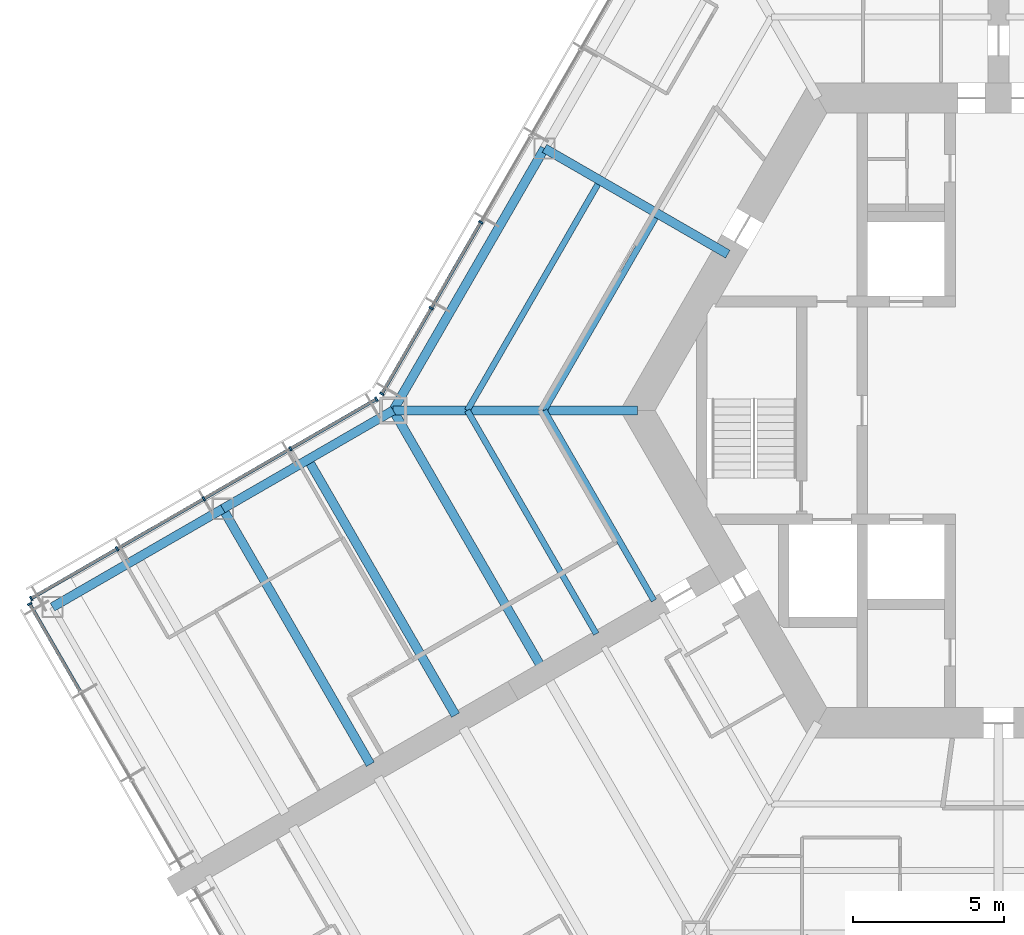
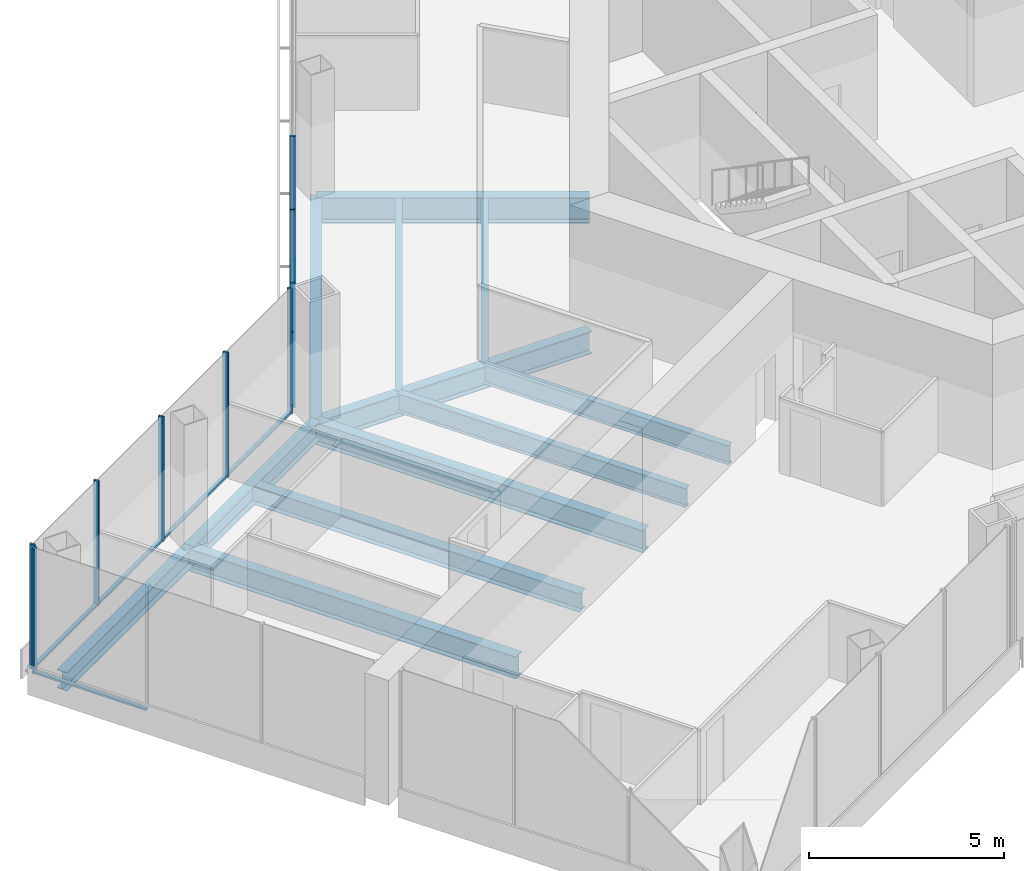
# One storey, part 4 of 18: 16 members, 12 beams, 3 elements without a shape of their own.
"""IFC4 building model written with IfcOpenShell, lengths in metres."""

import ifcopenshell
import ifcopenshell.guid

model = None  # the IFC model being written
_history = None  # IfcOwnerHistory: only IFC2X3 demands one
_inside = {}  # id of a spatial element -> (the spatial element, [elements in it])
_under = {}  # id of a project, library or spatial element -> (it, [spatial elements below it])
_declared = {}  # id of a project -> (the project, [libraries it declares])
_typed = {}  # id of a type object -> (the type object, [elements of that type])
_made_of = {}  # id of a material, layer set ... -> (it, [elements and type objects made of it])


def new_model(schema):
    """Start an empty IFC model of exactly this schema.

    Asked for "IFC4X3", IfcOpenShell would pick the latest addendum, in which some entities
    have other attributes; the version numbers below select the first issue.
    IFC2X3 requires an IfcOwnerHistory on every rooted entity: one is made here for all.
    """
    global model, _history
    if schema == "IFC4X3":
        model = ifcopenshell.file(schema_version=(4, 3, 0, 0))
    else:
        model = ifcopenshell.file(schema=schema)
    _inside.clear()
    _under.clear()
    _declared.clear()
    _typed.clear()
    _made_of.clear()
    _history = None
    if model.schema == "IFC2X3":
        org = make("IfcOrganization", Name="unknown")
        user = make(
            "IfcPersonAndOrganization",
            ThePerson=make("IfcPerson", FamilyName="unknown"),
            TheOrganization=org,
        )
        app = make(
            "IfcApplication",
            ApplicationDeveloper=org,
            Version="unknown",
            ApplicationFullName="unknown",
            ApplicationIdentifier="unknown",
        )
        _history = make(
            "IfcOwnerHistory",
            OwningUser=user,
            OwningApplication=app,
            ChangeAction="ADDED",
            CreationDate=0,
        )
    return model


def make(cls, **values):
    """One entity of the class cls with the attributes given. An attribute that is None is left unset."""
    return model.create_entity(
        cls, **{name: value for name, value in values.items() if value is not None}
    )


def rooted(cls, **values):
    """An entity with a GlobalId (a new one), such as an element, a storey or a relation."""
    return make(cls, GlobalId=ifcopenshell.guid.new(), OwnerHistory=_history, **values)


def si_unit(unit_type, name, prefix=None):
    """IfcSIUnit, for example si_unit("LENGTHUNIT", "METRE", prefix="MILLI")."""
    return make("IfcSIUnit", UnitType=unit_type, Prefix=prefix, Name=name)


def assignment(units):
    """IfcUnitAssignment: the units of a project."""
    return None if units is None else make("IfcUnitAssignment", Units=units)


def point(xyz):
    """IfcCartesianPoint."""
    return None if xyz is None else make("IfcCartesianPoint", Coordinates=xyz)


def direction(xyz):
    """IfcDirection."""
    return None if xyz is None else make("IfcDirection", DirectionRatios=xyz)


def frame(location, z_axis=None, x_axis=None):
    """IfcAxis2Placement3D, a coordinate frame: its origin and axes. An axis left out is left unset."""
    return make(
        "IfcAxis2Placement3D",
        Location=point(location),
        Axis=direction(z_axis),
        RefDirection=direction(x_axis),
    )


def frame_2d(location, x_axis=None):
    """IfcAxis2Placement2D, a coordinate frame in the plane: its origin and x axis."""
    return make(
        "IfcAxis2Placement2D", Location=point(location), RefDirection=direction(x_axis)
    )


def origin():
    """The frame at (0, 0, 0) with its axes left unset."""
    return frame((0.0, 0.0, 0.0))


def origin_2d():
    """The frame at (0, 0) in the plane with its x axis left unset."""
    return frame_2d((0.0, 0.0))


def place(relative_to, where):
    """IfcLocalPlacement: puts the frame where relative to a parent placement (None: the world)."""
    return make(
        "IfcLocalPlacement", PlacementRelTo=relative_to, RelativePlacement=where
    )


def context(
    kind, dimensions, precision=None, world=None, true_north=None, identifier=None
):
    """IfcGeometricRepresentationContext, for example the 3D "Model" context."""
    return make(
        "IfcGeometricRepresentationContext",
        ContextIdentifier=identifier,
        ContextType=kind,
        CoordinateSpaceDimension=dimensions,
        Precision=precision,
        WorldCoordinateSystem=world,
        TrueNorth=true_north,
    )


def subcontext(parent, identifier, kind, view, scale=None):
    """IfcGeometricRepresentationSubContext, for example "Body" below "Model"."""
    return make(
        "IfcGeometricRepresentationSubContext",
        ContextIdentifier=identifier,
        ContextType=kind,
        ParentContext=parent,
        TargetScale=scale,
        TargetView=view,
    )


def project(units=None, contexts=None):
    """IfcProject with its units and contexts."""
    return rooted(
        "IfcProject",
        Name="project",
        RepresentationContexts=contexts,
        UnitsInContext=assignment(units),
    )


def spatial(cls, under=None, at=None, **own):
    """A site, building, storey or space (cls), placed at a placement, below another one or the project."""
    s = rooted(cls, ObjectPlacement=at, **own)
    if under is not None:
        _under.setdefault(under.id(), (under, []))[1].append(s)
    return s


def profile(cls, at=None, kind="AREA", **sizes):
    """A parametric profile (cls). Its sizes go by their IFC names, for example OverallWidth=200.0."""
    return make(cls, ProfileType=kind, Position=at, **sizes)


def rectangle(**sizes):
    """IfcRectangleProfileDef."""
    return profile("IfcRectangleProfileDef", **sizes)


def i_section(**sizes):
    """IfcIShapeProfileDef."""
    return profile("IfcIShapeProfileDef", **sizes)


def extrude(swept, where, along, depth):
    """IfcExtrudedAreaSolid: the profile swept, set in the frame where, extruded along a direction by depth."""
    return make(
        "IfcExtrudedAreaSolid",
        SweptArea=swept,
        Position=where,
        ExtrudedDirection=direction(along),
        Depth=depth,
    )


def shape(context_of_items, identifier, shape_type, items):
    """IfcShapeRepresentation: the items that make up one representation, for example the "Body"."""
    return make(
        "IfcShapeRepresentation",
        ContextOfItems=context_of_items,
        RepresentationIdentifier=identifier,
        RepresentationType=shape_type,
        Items=items,
    )


def material(Name=None, Category=None):
    """IfcMaterial."""
    return make("IfcMaterial", Name=Name, Category=Category)


def material_profile(
    of_material, cross_section, Name=None, Category=None, Priority=None
):
    """IfcMaterialProfile: a cross section and its material."""
    return make(
        "IfcMaterialProfile",
        Name=Name,
        Material=of_material,
        Profile=cross_section,
        Priority=Priority,
        Category=Category,
    )


def profile_set(profiles, Name=None, composite=None):
    """IfcMaterialProfileSet."""
    return make(
        "IfcMaterialProfileSet",
        Name=Name,
        MaterialProfiles=profiles,
        CompositeProfile=composite,
    )


def made_of(thing, what):
    """Note that an element or type object is made of a material, layer set ...; save() writes the relation."""
    if what is not None:
        _made_of.setdefault(what.id(), (what, []))[1].append(thing)
    return thing


def type_object(cls, material=None, **own):
    """A type object (cls), such as IfcWallType, which elements share."""
    return made_of(rooted(cls, **own), material)


def element(
    cls,
    number,
    at=None,
    inside=None,
    cuts=None,
    type_object=None,
    material=None,
    context=None,
    identifier="Body",
    shape_type=None,
    held_by="IfcProductDefinitionShape",
    body=None,
    shapes=None,
    **own,
):
    """One element of the class cls, such as IfcWall. Its Tag is "e" and its number.

    at: its placement. inside: the storey or other place that contains it. cuts: it is an
    opening in that element (IfcRelVoidsElement). A single representation is given by context,
    identifier, shape_type and body (its items); several are given by shapes. held_by: the class
    of the entity that holds the representations. save() writes the other relations.
    """
    e = rooted(cls, Tag="e%d" % number, ObjectPlacement=at, **own)
    if body is not None:
        shapes = [shape(context, identifier, shape_type, body)]
    if shapes is not None:
        e.Representation = make(held_by, Representations=shapes)
    if inside is not None:
        _inside.setdefault(inside.id(), (inside, []))[1].append(e)
    if cuts is not None:
        rooted(
            "IfcRelVoidsElement", RelatingBuildingElement=cuts, RelatedOpeningElement=e
        )
    if type_object is not None:
        _typed.setdefault(type_object.id(), (type_object, []))[1].append(e)
    return made_of(e, material)


def aggregate(whole, parts):
    """IfcRelAggregates: a whole, such as a stair, and the parts it consists of."""
    return rooted("IfcRelAggregates", RelatingObject=whole, RelatedObjects=parts)


def save(model, path):
    """Write the relations noted so far, then the file.

    IfcRelAggregates (storeys below a building ...), IfcRelContainedInSpatialStructure (elements
    in a storey), IfcRelDefinesByType, IfcRelAssociatesMaterial and IfcRelDeclares: one each for
    every whole, place, type object, material and project.
    """
    for whole, parts in _under.values():
        aggregate(whole, parts)
    for where, things in _inside.values():
        rooted(
            "IfcRelContainedInSpatialStructure",
            RelatedElements=things,
            RelatingStructure=where,
        )
    for kind, things in _typed.values():
        rooted("IfcRelDefinesByType", RelatedObjects=things, RelatingType=kind)
    for what, things in _made_of.values():
        rooted("IfcRelAssociatesMaterial", RelatedObjects=things, RelatingMaterial=what)
    for by, libraries in _declared.values():
        rooted("IfcRelDeclares", RelatingContext=by, RelatedDefinitions=libraries)
    model.write(path)


model = new_model("IFC4")

# Units and contexts
model_context = context("Model", 3, precision=1e-05, world=origin(), true_north=direction((0.0, 1.0)))
body_context = subcontext(model_context, "Body", "Model", "MODEL_VIEW")
ifc_project = project(units=[si_unit("LENGTHUNIT", "METRE"), si_unit("AREAUNIT", "SQUARE_METRE"), si_unit("VOLUMEUNIT", "CUBIC_METRE"), si_unit("PLANEANGLEUNIT", "RADIAN"), si_unit("MASSUNIT", "GRAM", prefix="KILO")], contexts=[model_context])

# Site, building, storey
site_placement = place(None, origin())
site = spatial("IfcSite", under=ifc_project, at=site_placement, CompositionType="ELEMENT")
building_placement = place(site_placement, origin())
building = spatial("IfcBuilding", under=site, at=building_placement, Name="Kasaneha Research Tower", CompositionType="ELEMENT")
storey_placement = place(building_placement, frame((0.0, 0.0, 199.39990234375)))
storey = spatial("IfcBuildingStorey", under=building, at=storey_placement, Name="L50", CompositionType="ELEMENT", Elevation=199.39990234375)

# Beams
ifc_material_1 = material(Name="Steel SN490B", Category="steel")
ifc_material_profile_1 = material_profile(ifc_material_1, i_section(OverallWidth=0.199951171875, OverallDepth=0.60009765625, WebThickness=0.010986328125, FlangeThickness=0.01708984375, FilletRadius=0.012939453125, at=origin_2d()), Name="H-600x200x11x17")
ifc_profile_set_1 = profile_set([ifc_material_profile_1], Name="Steel SN490B")
beam_type_1 = type_object("IfcBeamType", Name="B1-3 secondary beam H-600x200x11x17", PredefinedType="JOIST", material=ifc_profile_set_1)
beam_1_placement = place(storey_placement, frame((-15.010986328125, 0.0, -0.449951171875), z_axis=(0.499994443168, 0.866028611999, 0.0), x_axis=(-0.866028611999, 0.499994443168, 0.0)))
element("IfcBeam", 1, at=beam_1_placement, inside=storey, type_object=beam_type_1, Name="Secondary beam RS150R1 L50", PredefinedType="JOIST", context=body_context, shape_type="SweptSolid", body=[
    extrude(i_section(OverallWidth=0.199951171875, OverallDepth=0.60009765625, WebThickness=0.010986328125, FlangeThickness=0.01708984375, FilletRadius=0.012939453125, at=origin_2d()), origin(), (0.0, 0.0, 1.0), 7.35546875),
])
beam_2_placement = place(storey_placement, frame((-17.551513671875, 0.0, -0.449951171875), z_axis=(0.5000050195, 0.866022505755, 0.0), x_axis=(-0.866022505755, 0.5000050195, 0.0)))
element("IfcBeam", 2, at=beam_2_placement, inside=storey, type_object=beam_type_1, Name="Secondary beam RS150R2 L50", PredefinedType="JOIST", context=body_context, shape_type="SweptSolid", body=[
    extrude(i_section(OverallWidth=0.199951171875, OverallDepth=0.60009765625, WebThickness=0.010986328125, FlangeThickness=0.01708984375, FilletRadius=0.012939453125, at=origin_2d()), origin(), (0.0, 0.0, 1.0), 8.6259765625),
])
beam_3_placement = place(storey_placement, frame((-15.010986328125, 0.0, -0.449951171875), z_axis=(0.499993340521, -0.866029248602, 0.0), x_axis=(0.866029248602, 0.499993340521, 0.0)))
element("IfcBeam", 3, at=beam_3_placement, inside=storey, type_object=beam_type_1, Name="Secondary beam RS210L1 L50", PredefinedType="JOIST", context=body_context, shape_type="SweptSolid", body=[
    extrude(i_section(OverallWidth=0.199951171875, OverallDepth=0.60009765625, WebThickness=0.010986328125, FlangeThickness=0.01708984375, FilletRadius=0.012939453125, at=origin_2d()), origin(), (0.0, 0.0, 1.0), 7.25537109375),
])
beam_4_placement = place(storey_placement, frame((-17.551513671875, 0.0, -0.449951171875), z_axis=(0.500004205306, -0.866022975836, 0.0), x_axis=(0.866022975836, 0.500004205306, 0.0)))
element("IfcBeam", 4, at=beam_4_placement, inside=storey, type_object=beam_type_1, Name="Secondary beam RS210L2 L50", PredefinedType="JOIST", context=body_context, shape_type="SweptSolid", body=[
    extrude(i_section(OverallWidth=0.199951171875, OverallDepth=0.60009765625, WebThickness=0.010986328125, FlangeThickness=0.01708984375, FilletRadius=0.012939453125, at=origin_2d()), origin(), (0.0, 0.0, 1.0), 8.52587890625),
])
ifc_material_2 = material(Name="Steel SN490B", Category="steel")
ifc_material_profile_2 = material_profile(ifc_material_2, i_section(OverallWidth=0.300048828125, OverallDepth=0.58203125, WebThickness=0.011962890625, FlangeThickness=0.01708984375, FilletRadius=0.012939453125, at=origin_2d()), Name="H-582x300x12x17")
ifc_profile_set_2 = profile_set([ifc_material_profile_2], Name="Steel SN490B")
beam_type_2 = type_object("IfcBeamType", Name="B2-3 secondary beam H-582x300x12x17", PredefinedType="JOIST", material=ifc_profile_set_2)
beam_5_placement = place(storey_placement, frame((-22.814697265625, -1.625, -0.44091796875), z_axis=(0.499995560238, -0.866027967067, 0.0), x_axis=(0.866027967067, 0.499995560238, 0.0)))
element("IfcBeam", 5, at=beam_5_placement, inside=storey, type_object=beam_type_2, Name="Secondary beam WBBP1 L50", PredefinedType="JOIST", context=body_context, shape_type="SweptSolid", body=[
    extrude(i_section(OverallWidth=0.300048828125, OverallDepth=0.58203125, WebThickness=0.011962890625, FlangeThickness=0.01708984375, FilletRadius=0.012939453125, at=origin_2d()), origin(), (0.0, 0.0, 1.0), 9.75),
])

# Curtain wall, members
ifc_material_3 = material(Name="Glass and aluminium", Category="aluminium")
curtain_wall_type = type_object("IfcCurtainWallType", Name="Mid-rise office curtain wall", PredefinedType="USERDEFINED", material=ifc_material_3)
curtain_wall_1_placement = place(storey_placement, origin())
curtain_wall_1 = element("IfcCurtainWall", 6, at=curtain_wall_1_placement, inside=storey, type_object=curtain_wall_type, Name="CW-O2 L50 run 08a", ObjectType="UNITISED CURTAIN WALL", PredefinedType="USERDEFINED")
ifc_material_4 = material(Name="Aluminium 6063-T6", Category="aluminium")
ifc_material_profile_3 = material_profile(ifc_material_4, rectangle(XDim=0.06005859375, YDim=0.14990234375, at=origin_2d()), Name="CW-O2 mullion 60x150")
ifc_profile_set_3 = profile_set([ifc_material_profile_3], Name="Aluminium 6063-T6")
member_type_1 = type_object("IfcMemberType", Name="CW-O2 mullion", PredefinedType="MULLION", material=ifc_profile_set_3)
member_1_placement = place(storey_placement, frame((-17.10107421875, 6.220947265625, 0.0), z_axis=(0.0, 0.0, 1.0), x_axis=(-0.499999979232, -0.866025415775, 0.0)))
member_1 = element("IfcMember", 7, at=member_1_placement, type_object=member_type_1, Name="CW-O2 mullion 5", PredefinedType="MULLION", context=body_context, shape_type="SweptSolid", body=[
    extrude(rectangle(XDim=0.06005859375, YDim=0.14990234375, at=origin_2d()), origin(), (0.0, 0.0, 1.0), 3.900146484375),
])
member_2_placement = place(storey_placement, frame((-18.7451171875, 3.373291015625, 0.0), z_axis=(0.0, 0.0, 1.0), x_axis=(-0.499999979232, -0.866025415775, 0.0)))
member_2 = element("IfcMember", 8, at=member_2_placement, type_object=member_type_1, Name="CW-O2 mullion 6", PredefinedType="MULLION", context=body_context, shape_type="SweptSolid", body=[
    extrude(rectangle(XDim=0.06005859375, YDim=0.14990234375, at=origin_2d()), origin(), (0.0, 0.0, 1.0), 3.900146484375),
])
member_3_placement = place(storey_placement, frame((-20.374267578125, 0.5517578125, 0.0), z_axis=(0.0, 0.0, 1.0), x_axis=(-0.499999979232, -0.866025415775, 0.0)))
member_3 = element("IfcMember", 9, at=member_3_placement, type_object=member_type_1, Name="CW-O2 mullion 7", PredefinedType="MULLION", context=body_context, shape_type="SweptSolid", body=[
    extrude(rectangle(XDim=0.06005859375, YDim=0.14990234375, at=origin_2d()), origin(), (0.0, 0.0, 1.0), 3.900146484375),
])

curtain_wall_2_placement = place(storey_placement, origin())
curtain_wall_2 = element("IfcCurtainWall", 10, at=curtain_wall_2_placement, inside=storey, type_object=curtain_wall_type, Name="CW-O2 L50 run 09a", ObjectType="UNITISED CURTAIN WALL", PredefinedType="USERDEFINED")
member_4_placement = place(storey_placement, frame((-20.5517578125, 0.374267578125, 0.0), z_axis=(0.0, 0.0, 1.0), x_axis=(-0.866025411464, -0.499999986699, 0.0)))
member_4 = element("IfcMember", 11, at=member_4_placement, type_object=member_type_1, Name="CW-O2 mullion 1", PredefinedType="MULLION", context=body_context, shape_type="SweptSolid", body=[
    extrude(rectangle(XDim=0.06005859375, YDim=0.14990234375, at=origin_2d()), origin(), (0.0, 0.0, 1.0), 3.900146484375),
])
member_5_placement = place(storey_placement, frame((-23.39208984375, -1.265625, 0.0), z_axis=(0.0, 0.0, 1.0), x_axis=(-0.866025411464, -0.499999986699, 0.0)))
member_5 = element("IfcMember", 12, at=member_5_placement, type_object=member_type_1, Name="CW-O2 mullion 2", PredefinedType="MULLION", context=body_context, shape_type="SweptSolid", body=[
    extrude(rectangle(XDim=0.06005859375, YDim=0.14990234375, at=origin_2d()), origin(), (0.0, 0.0, 1.0), 3.900146484375),
])
member_6_placement = place(storey_placement, frame((-26.258544921875, -2.920654296875, 0.0), z_axis=(0.0, 0.0, 1.0), x_axis=(-0.866025411464, -0.499999986699, 0.0)))
member_6 = element("IfcMember", 13, at=member_6_placement, type_object=member_type_1, Name="CW-O2 mullion 3", PredefinedType="MULLION", context=body_context, shape_type="SweptSolid", body=[
    extrude(rectangle(XDim=0.06005859375, YDim=0.14990234375, at=origin_2d()), origin(), (0.0, 0.0, 1.0), 3.900146484375),
])
member_7_placement = place(storey_placement, frame((-29.125, -4.575439453125, 0.0), z_axis=(0.0, 0.0, 1.0), x_axis=(-0.866025411464, -0.499999986699, 0.0)))
member_7 = element("IfcMember", 14, at=member_7_placement, type_object=member_type_1, Name="CW-O2 mullion 4", PredefinedType="MULLION", context=body_context, shape_type="SweptSolid", body=[
    extrude(rectangle(XDim=0.06005859375, YDim=0.14990234375, at=origin_2d()), origin(), (0.0, 0.0, 1.0), 3.900146484375),
])
member_8_placement = place(storey_placement, frame((-31.96533203125, -6.21533203125, 0.0), z_axis=(0.0, 0.0, 1.0), x_axis=(-0.866025411464, -0.499999986699, 0.0)))
member_8 = element("IfcMember", 15, at=member_8_placement, type_object=member_type_1, Name="CW-O2 mullion 5", PredefinedType="MULLION", context=body_context, shape_type="SweptSolid", body=[
    extrude(rectangle(XDim=0.06005859375, YDim=0.14990234375, at=origin_2d()), origin(), (0.0, 0.0, 1.0), 3.900146484375),
])

# Curtain wall, member
curtain_wall_3_placement = place(storey_placement, origin())
curtain_wall_3 = element("IfcCurtainWall", 16, at=curtain_wall_3_placement, inside=storey, type_object=curtain_wall_type, Name="CW-O2 L50 run 10a", ObjectType="UNITISED CURTAIN WALL", PredefinedType="USERDEFINED")
member_9_placement = place(storey_placement, frame((-32.012939453125, -6.39306640625, 0.0), z_axis=(0.0, 0.0, 1.0), x_axis=(0.500000011442, -0.866025397178, 0.0)))
member_9 = element("IfcMember", 17, at=member_9_placement, type_object=member_type_1, Name="CW-O2 mullion 1", PredefinedType="MULLION", context=body_context, shape_type="SweptSolid", body=[
    extrude(rectangle(XDim=0.06005859375, YDim=0.14990234375, at=origin_2d()), origin(), (0.0, 0.0, 1.0), 3.900146484375),
])

# Member
ifc_material_5 = material(Name="Aluminium 6063-T6", Category="aluminium")
ifc_material_profile_4 = material_profile(ifc_material_5, rectangle(XDim=0.110107421875, YDim=0.06005859375, at=origin_2d()), Name="CW-O2 transom 110x60")
ifc_profile_set_4 = profile_set([ifc_material_profile_4], Name="Aluminium 6063-T6")
member_type_2 = type_object("IfcMemberType", Name="CW-O2 transom", PredefinedType="USERDEFINED", material=ifc_profile_set_4)
member_10_placement = place(storey_placement, frame((-17.1162109375, 6.195068359375, 0.030029296875), z_axis=(-0.499986503906, -0.866033195618, 0.0), x_axis=(0.866033195618, -0.499986503906, 0.0)))
member_10 = element("IfcMember", 18, at=member_10_placement, type_object=member_type_2, Name="CW-O2 transom 5", ObjectType="TRANSOM", PredefinedType="USERDEFINED", context=body_context, shape_type="SweptSolid", body=[
    extrude(rectangle(XDim=0.110107421875, YDim=0.06005859375, at=origin_2d()), origin(), (0.0, 0.0, 1.0), 3.22802734375),
])

member_11_placement = place(storey_placement, frame((-18.76025390625, 3.347412109375, 0.030029296875), z_axis=(-0.499973578025, -0.866040657981, 0.0), x_axis=(0.866040657981, -0.499973578025, 0.0)))
member_11 = element("IfcMember", 19, at=member_11_placement, type_object=member_type_2, Name="CW-O2 transom 6", ObjectType="TRANSOM", PredefinedType="USERDEFINED", context=body_context, shape_type="SweptSolid", body=[
    extrude(rectangle(XDim=0.110107421875, YDim=0.06005859375, at=origin_2d()), origin(), (0.0, 0.0, 1.0), 3.197998046875),
])

aggregate(curtain_wall_1, [member_1, member_2, member_3, member_10, member_11])

member_12_placement = place(storey_placement, frame((-20.577880859375, 0.359130859375, 0.030029296875), z_axis=(-0.866022692473, -0.500004696101, 0.0), x_axis=(0.500004696101, -0.866022692473, 0.0)))
member_12 = element("IfcMember", 20, at=member_12_placement, type_object=member_type_2, Name="CW-O2 transom 1", ObjectType="TRANSOM", PredefinedType="USERDEFINED", context=body_context, shape_type="SweptSolid", body=[
    extrude(rectangle(XDim=0.110107421875, YDim=0.06005859375, at=origin_2d()), origin(), (0.0, 0.0, 1.0), 3.2197265625),
])

member_13_placement = place(storey_placement, frame((-23.418212890625, -1.28076171875, 0.030029296875), z_axis=(-0.86604797581, -0.499960902066, 0.0), x_axis=(0.499960902066, -0.86604797581, 0.0)))
member_13 = element("IfcMember", 21, at=member_13_placement, type_object=member_type_2, Name="CW-O2 transom 2", ObjectType="TRANSOM", PredefinedType="USERDEFINED", context=body_context, shape_type="SweptSolid", body=[
    extrude(rectangle(XDim=0.110107421875, YDim=0.06005859375, at=origin_2d()), origin(), (0.0, 0.0, 1.0), 3.249755859375),
])

member_14_placement = place(storey_placement, frame((-26.28466796875, -2.935546875, 0.030029296875), z_axis=(-0.86599666273, -0.500049777664, 0.0), x_axis=(0.500049777664, -0.86599666273, 0.0)))
member_14 = element("IfcMember", 22, at=member_14_placement, type_object=member_type_2, Name="CW-O2 transom 3", ObjectType="TRANSOM", PredefinedType="USERDEFINED", context=body_context, shape_type="SweptSolid", body=[
    extrude(rectangle(XDim=0.110107421875, YDim=0.06005859375, at=origin_2d()), origin(), (0.0, 0.0, 1.0), 3.249755859375),
])

member_15_placement = place(storey_placement, frame((-29.15087890625, -4.590576171875, 0.030029296875), z_axis=(-0.866041647767, -0.499971863542, 0.0), x_axis=(0.499971863542, -0.866041647767, 0.0)))
member_15 = element("IfcMember", 23, at=member_15_placement, type_object=member_type_2, Name="CW-O2 transom 4", ObjectType="TRANSOM", PredefinedType="USERDEFINED", context=body_context, shape_type="SweptSolid", body=[
    extrude(rectangle(XDim=0.110107421875, YDim=0.06005859375, at=origin_2d()), origin(), (0.0, 0.0, 1.0), 3.219970703125),
])

aggregate(curtain_wall_2, [member_4, member_5, member_6, member_7, member_8, member_12, member_13, member_14, member_15])

member_16_placement = place(storey_placement, frame((-31.998046875, -6.4189453125, 0.030029296875), z_axis=(0.500021914551, -0.866012751043, 0.0), x_axis=(0.866012751043, 0.500021914551, 0.0)))
member_16 = element("IfcMember", 24, at=member_16_placement, type_object=member_type_2, Name="CW-O2 transom 1", ObjectType="TRANSOM", PredefinedType="USERDEFINED", context=body_context, shape_type="SweptSolid", body=[
    extrude(rectangle(XDim=0.110107421875, YDim=0.06005859375, at=origin_2d()), origin(), (0.0, 0.0, 1.0), 3.293212890625),
])

aggregate(curtain_wall_3, [member_9, member_16])

# Beams
ifc_material_6 = material(Name="Steel SN490B", Category="steel")
ifc_material_profile_5 = material_profile(ifc_material_6, i_section(OverallWidth=0.300048828125, OverallDepth=0.699951171875, WebThickness=0.012939453125, FlangeThickness=0.02392578125, FilletRadius=0.01806640625, at=origin_2d()), Name="H-700x300x13x24")
ifc_profile_set_5 = profile_set([ifc_material_profile_5], Name="Steel SN490B")
beam_type_3 = type_object("IfcBeamType", Name="G1-3 radial girder H-700x300x13x24", PredefinedType="BEAM", material=ifc_profile_set_5)
beam_6_placement = place(storey_placement, frame((-11.92236328125, 0.0, -0.5), z_axis=(-1.0, 0.0, 0.0), x_axis=(0.0, -1.0, 0.0)))
element("IfcBeam", 25, at=beam_6_placement, inside=storey, type_object=beam_type_3, Name="Radial girder RV180 L50", PredefinedType="BEAM", context=body_context, shape_type="SweptSolid", body=[
    extrude(i_section(OverallWidth=0.300048828125, OverallDepth=0.699951171875, WebThickness=0.012939453125, FlangeThickness=0.02392578125, FilletRadius=0.01806640625, at=origin_2d()), origin(), (0.0, 0.0, 1.0), 8.07763671875),
])
ifc_material_7 = material(Name="Steel SN490B", Category="steel")
ifc_material_profile_6 = material_profile(ifc_material_7, i_section(OverallWidth=0.300048828125, OverallDepth=0.800048828125, WebThickness=0.013916015625, FlangeThickness=0.02587890625, FilletRadius=0.01806640625, at=origin_2d()), Name="H-800x300x14x26")
ifc_profile_set_6 = profile_set([ifc_material_profile_6], Name="Steel SN490B")
beam_type_4 = type_object("IfcBeamType", Name="G2-3 radial girder H-800x300x14x26", PredefinedType="BEAM", material=ifc_profile_set_6)
beam_7_placement = place(storey_placement, frame((-8.941650390625, 5.16259765625, -0.5498046875), z_axis=(-0.866039713508, 0.499975214012, 0.0), x_axis=(-0.499975214012, -0.866039713508, 0.0)))
element("IfcBeam", 26, at=beam_7_placement, inside=storey, type_object=beam_type_4, Name="Radial girder RM150 L50", PredefinedType="BEAM", context=body_context, shape_type="SweptSolid", body=[
    extrude(i_section(OverallWidth=0.300048828125, OverallDepth=0.800048828125, WebThickness=0.013916015625, FlangeThickness=0.02587890625, FilletRadius=0.01806640625, at=origin_2d()), origin(), (0.0, 0.0, 1.0), 6.995361328125),
])
ifc_material_8 = material(Name="Steel SN490B", Category="steel")
ifc_material_profile_7 = material_profile(ifc_material_8, i_section(OverallWidth=0.300048828125, OverallDepth=0.69189453125, WebThickness=0.012939453125, FlangeThickness=0.02001953125, FilletRadius=0.01806640625, at=origin_2d()), Name="H-692x300x13x20")
ifc_profile_set_7 = profile_set([ifc_material_profile_7], Name="Steel SN490B")
beam_type_5 = type_object("IfcBeamType", Name="G3-3 plate edge girder H-692x300x13x20", PredefinedType="BEAM", material=ifc_profile_set_7)
beam_8_placement = place(storey_placement, frame((-20.0, 0.0, -0.495849609375), z_axis=(0.499995560238, -0.866027967067, 0.0), x_axis=(0.866027967067, 0.499995560238, 0.0)))
element("IfcBeam", 27, at=beam_8_placement, inside=storey, type_object=beam_type_5, Name="Plate edge girder PEBP L50", PredefinedType="BEAM", context=body_context, shape_type="SweptSolid", body=[
    extrude(i_section(OverallWidth=0.300048828125, OverallDepth=0.69189453125, WebThickness=0.012939453125, FlangeThickness=0.02001953125, FilletRadius=0.01806640625, at=origin_2d()), origin(), (0.0, 0.0, 1.0), 9.75),
])
ifc_material_9 = material(Name="Steel SN490B", Category="steel")
ifc_material_profile_8 = material_profile(ifc_material_9, i_section(OverallWidth=0.300048828125, OverallDepth=0.699951171875, WebThickness=0.012939453125, FlangeThickness=0.02392578125, FilletRadius=0.01806640625, at=origin_2d()), Name="H-700x300x13x24")
ifc_profile_set_8 = profile_set([ifc_material_profile_8], Name="Steel SN490B")
beam_type_6 = type_object("IfcBeamType", Name="G4-3 wing girder H-700x300x13x24", PredefinedType="BEAM", material=ifc_profile_set_8)
beam_9_placement = place(storey_placement, frame((-25.629150390625, -3.25, -0.5), z_axis=(0.499995560238, -0.866027967067, 0.0), x_axis=(0.866027967067, 0.499995560238, 0.0)))
element("IfcBeam", 28, at=beam_9_placement, inside=storey, type_object=beam_type_6, Name="Wing girder WGBP L50", PredefinedType="BEAM", context=body_context, shape_type="SweptSolid", body=[
    extrude(i_section(OverallWidth=0.300048828125, OverallDepth=0.699951171875, WebThickness=0.012939453125, FlangeThickness=0.02392578125, FilletRadius=0.01806640625, at=origin_2d()), origin(), (0.0, 0.0, 1.0), 9.75),
])
ifc_material_10 = material(Name="Steel SN490B", Category="steel")
ifc_material_profile_9 = material_profile(ifc_material_10, i_section(OverallWidth=0.300048828125, OverallDepth=0.69189453125, WebThickness=0.012939453125, FlangeThickness=0.02001953125, FilletRadius=0.01806640625, at=origin_2d()), Name="H-692x300x13x20")
ifc_profile_set_9 = profile_set([ifc_material_profile_9], Name="Steel SN490B")
beam_type_7 = type_object("IfcBeamType", Name="SB1-3 spandrel beam H-692x300x13x20", PredefinedType="SPANDREL", material=ifc_profile_set_9)
beam_10_placement = place(storey_placement, frame((-20.0, 0.0, -0.495849609375), z_axis=(0.500004234368, 0.866022959057, 0.0), x_axis=(-0.866022959057, 0.500004234368, 0.0)))
element("IfcBeam", 29, at=beam_10_placement, inside=storey, type_object=beam_type_7, Name="Spandrel beam SR150R L50", PredefinedType="SPANDREL", context=body_context, shape_type="SweptSolid", body=[
    extrude(i_section(OverallWidth=0.300048828125, OverallDepth=0.69189453125, WebThickness=0.012939453125, FlangeThickness=0.02001953125, FilletRadius=0.01806640625, at=origin_2d()), origin(), (0.0, 0.0, 1.0), 10.0),
])
ifc_material_11 = material(Name="Steel SN490B", Category="steel")
ifc_material_profile_10 = material_profile(ifc_material_11, i_section(OverallWidth=0.300048828125, OverallDepth=0.58203125, WebThickness=0.011962890625, FlangeThickness=0.01708984375, FilletRadius=0.012939453125, at=origin_2d()), Name="H-582x300x12x17")
ifc_profile_set_10 = profile_set([ifc_material_profile_10], Name="Steel SN490B")
beam_type_8 = type_object("IfcBeamType", Name="SB2-3 spandrel beam H-582x300x12x17", PredefinedType="SPANDREL", material=ifc_profile_set_10)
for number, where, z_axis, x_axis, name in (
    (30, (-20.0, 0.0, -0.44091796875), (-0.866024837091, -0.50000098154, 0.0), (0.50000098154, -0.866024837091, 0.0), "Spandrel beam WSBP1 L50"),
    (31, (-25.629150390625, -3.25, -0.44091796875), (-0.866024837091, -0.50000098154, 0.0), (0.50000098154, -0.866024837091, 0.0), "Spandrel beam WSBP2 L50"),
):
    element("IfcBeam", number, at=place(storey_placement, frame(where, z_axis=z_axis, x_axis=x_axis)), inside=storey, type_object=beam_type_8, Name=name, PredefinedType="SPANDREL", context=body_context, shape_type="SweptSolid", body=[
        extrude(i_section(OverallWidth=0.300048828125, OverallDepth=0.58203125, WebThickness=0.011962890625, FlangeThickness=0.01708984375, FilletRadius=0.012939453125, at=origin_2d()), origin(), (0.0, 0.0, 1.0), 6.5),
    ])

save(model, "model.ifc")
